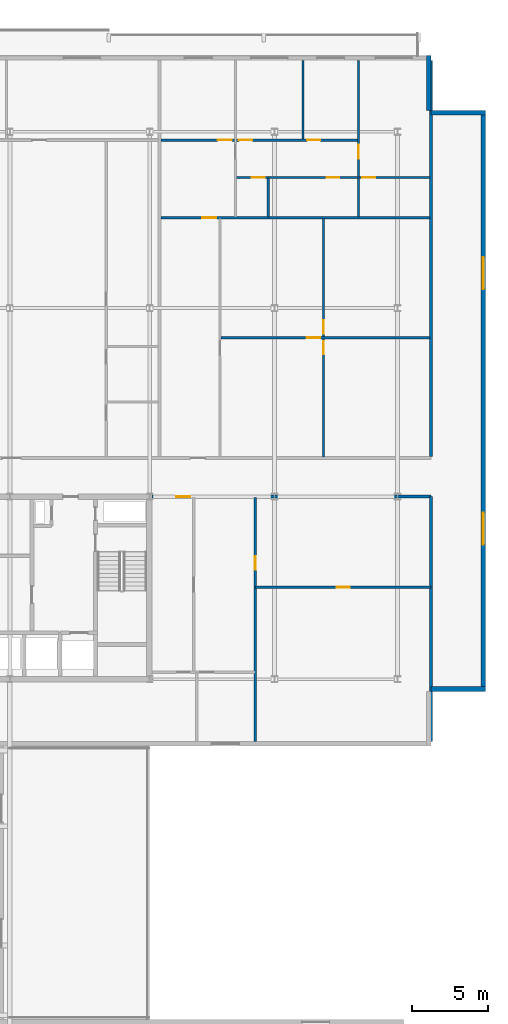
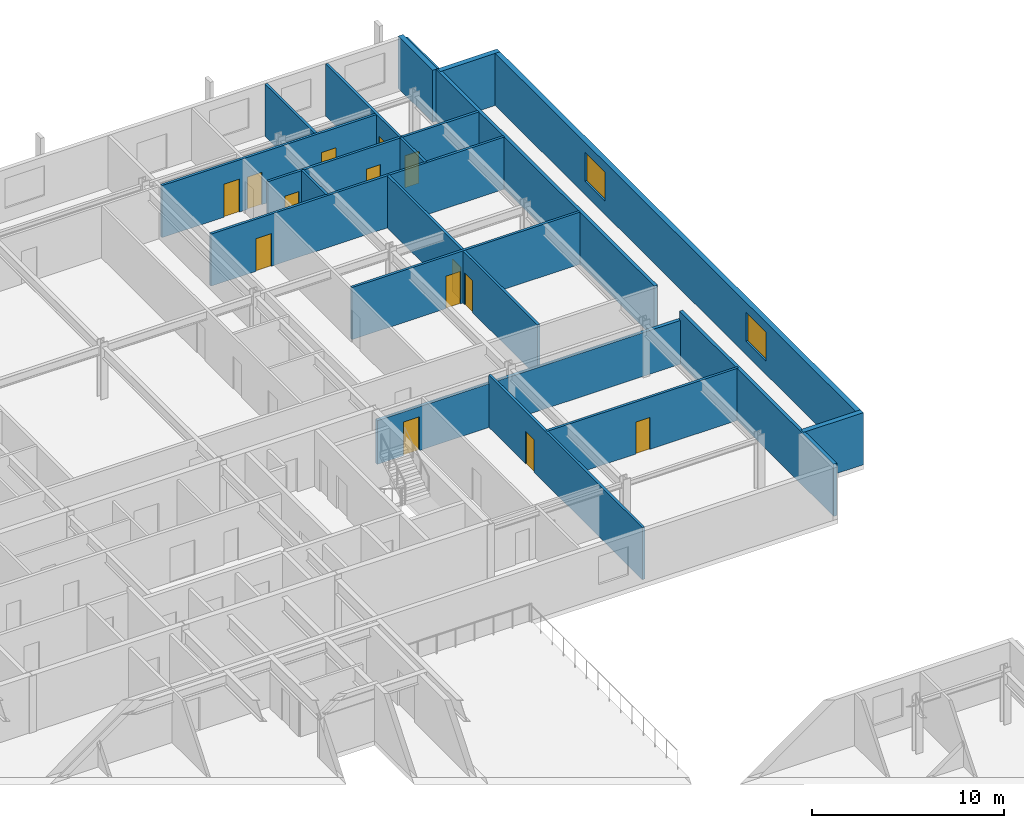
# One storey, part 22 of 28: 18 walls, 14 doors, 2 windows, 16 openings.
"""IFC4 building model written with IfcOpenShell, lengths in metres."""

from ifc_helpers import new_model, si_unit, direction, frame, frame_2d, origin, place, context, subcontext, project, spatial, rectangle, extrude, material, layer, layer_set, type_object, element, fill, save


model = new_model("IFC4")

# Units and contexts
model_context = context("Model", 3, precision=1e-05, world=origin(), true_north=direction((0.0, 1.0)))
body_context = subcontext(model_context, "Body", "Model", "MODEL_VIEW")
ifc_project = project(units=[si_unit("LENGTHUNIT", "METRE"), si_unit("AREAUNIT", "SQUARE_METRE"), si_unit("VOLUMEUNIT", "CUBIC_METRE"), si_unit("PLANEANGLEUNIT", "RADIAN"), si_unit("MASSUNIT", "GRAM", prefix="KILO")], contexts=[model_context])

# Site, building, storey
site_placement = place(None, origin())
site = spatial("IfcSite", under=ifc_project, at=site_placement, CompositionType="ELEMENT")
building_placement = place(site_placement, origin())
building = spatial("IfcBuilding", under=site, at=building_placement, Name="Korimba Cascade Residences", CompositionType="ELEMENT")
storey_placement = place(building_placement, frame((0.0, 0.0, 153.699951171875)))
storey = spatial("IfcBuildingStorey", under=building, at=storey_placement, Name="L44", CompositionType="ELEMENT", Elevation=153.699951171875)

# Wall
ifc_material_1 = material(Name="Precast concrete C40/50", Category="concrete")
ifc_layer_1 = layer(ifc_material_1, 0.300048828125)
ifc_layer_set_1 = layer_set([ifc_layer_1], Name="Precast concrete C40/50")
wall_type_1 = type_object("IfcWallType", Name="EW-STONE-300", PredefinedType="STANDARD", material=ifc_layer_set_1)
wall_1_placement = place(storey_placement, frame((130.60009765625, 54.550048828125, 0.0), z_axis=(0.0, 0.0, 1.0), x_axis=(1.0, 0.0, 0.0)))
element("IfcWall", 1, at=wall_1_placement, inside=storey, type_object=wall_type_1, Name="L44 T1 Perimeter Stone Wall E02", PredefinedType="STANDARD", context=body_context, shape_type="SweptSolid", body=[
    extrude(rectangle(XDim=3.599853515625, YDim=0.300048828125, at=frame_2d((1.7998046875, 0.0))), origin(), (0.0, 0.0, 1.0), 3.320068359375),
])

# Wall, openings, windows
wall_2_placement = place(storey_placement, frame((134.050048828125, 54.39990234375, 0.0), z_axis=(0.0, 0.0, 1.0), x_axis=(0.0, 1.0, 0.0)))
wall_2 = element("IfcWall", 2, at=wall_2_placement, inside=storey, type_object=wall_type_1, Name="L44 T1 Perimeter Stone Wall E03", PredefinedType="STANDARD", context=body_context, shape_type="SweptSolid", body=[
    extrude(rectangle(XDim=38.2001953125, YDim=0.300048828125, at=frame_2d((19.10009765625, 0.0))), origin(), (0.0, 0.0, 1.0), 3.320068359375),
])
opening_1_placement = place(wall_2_placement, frame((9.64599609375, 0.0, 0.85009765625)))
opening_1 = element("IfcOpeningElement", 3, at=opening_1_placement, cuts=wall_2, Name="Opening W-03", PredefinedType="OPENING", context=body_context, shape_type="SweptSolid", body=[
    extrude(rectangle(XDim=2.10009765625, YDim=1.85009765625, at=frame_2d((1.050048828125, 0.925048828125))), frame((0.0, 0.16015625, 0.0), z_axis=(0.0, -1.0, 0.0), x_axis=(1.0, 0.0, 0.0)), (0.0, 0.0, 1.0), 0.320068359375),
])
opening_2_placement = place(wall_2_placement, frame((26.4541015625, 0.0, 0.85009765625)))
opening_2 = element("IfcOpeningElement", 4, at=opening_2_placement, cuts=wall_2, Name="Opening W-03", PredefinedType="OPENING", context=body_context, shape_type="SweptSolid", body=[
    extrude(rectangle(XDim=2.10009765625, YDim=1.85009765625, at=frame_2d((1.050048828125, 0.925048828125))), frame((0.0, 0.16015625, 0.0), z_axis=(0.0, -1.0, 0.0), x_axis=(1.0, 0.0, 0.0)), (0.0, 0.0, 1.0), 0.320068359375),
])
ifc_material_2 = material(Name="Double-Glazed Aluminium Window", Category="aluminium")
window_type = type_object("IfcWindowType", Name="WIN-CRN-2100", PartitioningType="DOUBLE_PANEL_HORIZONTAL", PredefinedType="WINDOW", material=ifc_material_2)
window_1_placement = place(opening_1_placement, origin())
window_1 = element("IfcWindow", 5, at=window_1_placement, inside=storey, type_object=window_type, Name="L44 T1 End View Window 3.1", OverallHeight=1.85009765625, OverallWidth=2.10009765625, PartitioningType="DOUBLE_PANEL_HORIZONTAL", PredefinedType="WINDOW", context=body_context, shape_type="SweptSolid", body=[
    extrude(rectangle(XDim=2.10009765625, YDim=1.85009765625, at=frame_2d((1.050048828125, 0.925048828125))), frame((0.0, 0.030029296875, 0.0), z_axis=(0.0, -1.0, 0.0), x_axis=(1.0, 0.0, 0.0)), (0.0, 0.0, 1.0), 0.06005859375),
])
fill(opening_1, window_1)
window_2_placement = place(opening_2_placement, origin())
window_2 = element("IfcWindow", 6, at=window_2_placement, inside=storey, type_object=window_type, Name="L44 T1 End View Window 3.2", OverallHeight=1.85009765625, OverallWidth=2.10009765625, PartitioningType="DOUBLE_PANEL_HORIZONTAL", PredefinedType="WINDOW", context=body_context, shape_type="SweptSolid", body=[
    extrude(rectangle(XDim=2.10009765625, YDim=1.85009765625, at=frame_2d((1.050048828125, 0.925048828125))), frame((0.0, 0.030029296875, 0.0), z_axis=(0.0, -1.0, 0.0), x_axis=(1.0, 0.0, 0.0)), (0.0, 0.0, 1.0), 0.06005859375),
])
fill(opening_2, window_2)

# Walls
for number, where, z_axis, x_axis, name in (
    (7, (134.199951171875, 92.449951171875, 0.0), (0.0, 0.0, 1.0), (-1.0, 0.0, 0.0), "L44 T1 Perimeter Stone Wall E04"),
    (8, (130.449951171875, 92.60009765625, 0.0), (0.0, 0.0, 1.0), (0.0, 1.0, 0.0), "L44 T1 Perimeter Stone Wall E05"),
):
    element("IfcWall", number, at=place(storey_placement, frame(where, z_axis=z_axis, x_axis=x_axis)), inside=storey, type_object=wall_type_1, Name=name, PredefinedType="STANDARD", context=body_context, shape_type="SweptSolid", body=[
        extrude(rectangle(XDim=3.599853515625, YDim=0.300048828125, at=frame_2d((1.7998046875, 0.0))), origin(), (0.0, 0.0, 1.0), 3.320068359375),
    ])
ifc_layer_2 = layer(ifc_material_1, 0.199951171875)
ifc_layer_set_2 = layer_set([ifc_layer_2], Name="Precast concrete C40/50")
wall_type_2 = type_object("IfcWallType", Name="WAL-IT-200", PredefinedType="PARTITIONING", material=ifc_layer_set_2)
wall_3_placement = place(storey_placement, frame((130.60009765625, 51.10009765625, 0.0), z_axis=(0.0, 0.0, 1.0), x_axis=(0.0, 1.0, 0.0)))
element("IfcWall", 9, at=wall_3_placement, inside=storey, type_object=wall_type_2, Name="L44 Partition Wall WAL-L44-T1-FE-WR", PredefinedType="PARTITIONING", context=body_context, shape_type="SweptSolid", body=[
    extrude(rectangle(XDim=16.099853515625, YDim=0.199951171875, at=frame_2d((8.0498046875, 0.0))), origin(), (0.0, 0.0, 1.0), 3.320068359375),
])

# Wall, opening, door
wall_4_placement = place(storey_placement, frame((112.25, 67.199951171875, 0.0), z_axis=(0.0, 0.0, 1.0), x_axis=(1.0, 0.0, 0.0)))
wall_4 = element("IfcWall", 10, at=wall_4_placement, inside=storey, type_object=wall_type_2, Name="L44 Partition Wall WAL-L44-T1-FE-N", PredefinedType="PARTITIONING", context=body_context, shape_type="SweptSolid", body=[
    extrude(rectangle(XDim=18.35009765625, YDim=0.199951171875, at=frame_2d((9.175048828125, 0.0))), origin(), (0.0, 0.0, 1.0), 2.783447265625),
])
opening_3_placement = place(wall_4_placement, frame((1.580078125, 0.0, 0.0)))
opening_3 = element("IfcOpeningElement", 11, at=opening_3_placement, cuts=wall_4, Name="Opening D-UN1", PredefinedType="OPENING", context=body_context, shape_type="SweptSolid", body=[
    extrude(rectangle(XDim=0.949951171875, YDim=2.14990234375, at=frame_2d((0.47509765625, 1.074951171875))), frame((0.0, 0.10986328125, 0.0), z_axis=(0.0, -1.0, 0.0), x_axis=(1.0, 0.0, 0.0)), (0.0, 0.0, 1.0), 0.219970703125),
])
ifc_material_3 = material(Name="Fire-Rated Hardwood Apartment Entrance Door", Category="wood")
door_type_1 = type_object("IfcDoorType", Name="DR-FD60-950", OperationType="NOTDEFINED", PredefinedType="DOOR", material=ifc_material_3)
door_1_placement = place(opening_3_placement, origin())
door_1 = element("IfcDoor", 12, at=door_1_placement, inside=storey, type_object=door_type_1, Name="L44-T1-FE Entrance Door", OperationType="SINGLE_SWING_LEFT", OverallHeight=2.14990234375, OverallWidth=0.949951171875, PredefinedType="DOOR", context=body_context, shape_type="SweptSolid", body=[
    extrude(rectangle(XDim=0.949951171875, YDim=2.14990234375, at=frame_2d((0.47509765625, 1.074951171875))), frame((0.0, 0.02490234375, 0.0), z_axis=(0.0, -1.0, 0.0), x_axis=(1.0, 0.0, 0.0)), (0.0, 0.0, 1.0), 0.050048828125),
])
fill(opening_3, door_1)

# Wall
wall_5_placement = place(storey_placement, frame((130.60009765625, 69.830078125, 0.0), z_axis=(0.0, 0.0, 1.0), x_axis=(0.0, 1.0, 0.0)))
element("IfcWall", 13, at=wall_5_placement, inside=storey, type_object=wall_type_2, Name="L44 Partition Wall WAL-L44-T1-BNDWR", PredefinedType="PARTITIONING", context=body_context, shape_type="SweptSolid", body=[
    extrude(rectangle(XDim=26.06982421875, YDim=0.199951171875, at=frame_2d((13.034912109375, 0.0))), origin(), (0.0, 0.0, 1.0), 3.320068359375),
])

# Wall, opening, door
ifc_material_4 = material(Name="Insulated Acoustic Stud Partition", Category="gypsum")
ifc_layer_3 = layer(ifc_material_4, 0.14990234375)
ifc_layer_set_3 = layer_set([ifc_layer_3], Name="Insulated Acoustic Stud Partition")
wall_type_3 = type_object("IfcWallType", Name="WAL-PART-150", PredefinedType="PARTITIONING", material=ifc_layer_set_3)
wall_6_placement = place(storey_placement, frame((119.050048828125, 61.25, 0.0), z_axis=(0.0, 0.0, 1.0), x_axis=(1.0, 0.0, 0.0)))
wall_6 = element("IfcWall", 14, at=wall_6_placement, inside=storey, type_object=wall_type_3, Name="L44 Partition Wall WAL-L44-T1-FE-STH", PredefinedType="PARTITIONING", context=body_context, shape_type="SweptSolid", body=[
    extrude(rectangle(XDim=11.550048828125, YDim=0.14990234375, at=frame_2d((5.77490234375, 0.0))), origin(), (0.0, 0.0, 1.0), 3.320068359375),
])
opening_4_placement = place(wall_6_placement, frame((5.35498046875, 0.0, 0.0)))
opening_4 = element("IfcOpeningElement", 15, at=opening_4_placement, cuts=wall_6, Name="Opening D-BT1", PredefinedType="OPENING", context=body_context, shape_type="SweptSolid", body=[
    extrude(rectangle(XDim=0.840087890625, YDim=2.0400390625, at=frame_2d((0.419921875, 1.02001953125))), frame((0.0, 0.0849609375, 0.0), z_axis=(0.0, -1.0, 0.0), x_axis=(1.0, 0.0, 0.0)), (0.0, 0.0, 1.0), 0.169921875),
])
ifc_material_5 = material(Name="Moisture-Resistant Bathroom Timber Door", Category="wood")
door_type_2 = type_object("IfcDoorType", Name="DR-INT-850", OperationType="NOTDEFINED", PredefinedType="DOOR", material=ifc_material_5)
door_2_placement = place(opening_4_placement, origin())
door_2 = element("IfcDoor", 16, at=door_2_placement, inside=storey, type_object=door_type_2, Name="L44-T1-FE Dressing Store Door", OperationType="SINGLE_SWING_RIGHT", OverallHeight=2.0400390625, OverallWidth=0.840087890625, PredefinedType="DOOR", context=body_context, shape_type="SweptSolid", body=[
    extrude(rectangle(XDim=0.840087890625, YDim=2.0400390625, at=frame_2d((0.419921875, 1.02001953125))), frame((0.0, 0.02490234375, 0.0), z_axis=(0.0, -1.0, 0.0), x_axis=(1.0, 0.0, 0.0)), (0.0, 0.0, 1.0), 0.050048828125),
])
fill(opening_4, door_2)

wall_7_placement = place(storey_placement, frame((119.050048828125, 51.10009765625, 0.0), z_axis=(0.0, 0.0, 1.0), x_axis=(0.0, 1.0, 0.0)))
wall_7 = element("IfcWall", 17, at=wall_7_placement, inside=storey, type_object=wall_type_3, Name="L44 Partition Wall WAL-L44-T1-FE-STV", PredefinedType="PARTITIONING", context=body_context, shape_type="SweptSolid", body=[
    extrude(rectangle(XDim=16.0498046875, YDim=0.14990234375, at=frame_2d((8.02490234375, 0.0))), origin(), (0.0, 0.0, 1.0), 3.320068359375),
])
opening_5_placement = place(wall_7_placement, frame((11.300048828125, 0.0, 0.0)))
opening_5 = element("IfcOpeningElement", 18, at=opening_5_placement, cuts=wall_7, Name="Opening D-IN2", PredefinedType="OPENING", context=body_context, shape_type="SweptSolid", body=[
    extrude(rectangle(XDim=0.8798828125, YDim=2.06005859375, at=frame_2d((0.43994140625, 1.030029296875))), frame((0.0, 0.0849609375, 0.0), z_axis=(0.0, -1.0, 0.0), x_axis=(1.0, 0.0, 0.0)), (0.0, 0.0, 1.0), 0.169921875),
])
ifc_material_6 = material(Name="Acoustic Timber Bedroom Door", Category="wood")
door_type_3 = type_object("IfcDoorType", Name="DR-INT-880", OperationType="NOTDEFINED", PredefinedType="DOOR", material=ifc_material_6)
door_3_placement = place(opening_5_placement, origin())
door_3 = element("IfcDoor", 19, at=door_3_placement, inside=storey, type_object=door_type_3, Name="L44-T1-FE Study Door", OperationType="SINGLE_SWING_LEFT", OverallHeight=2.06005859375, OverallWidth=0.8798828125, PredefinedType="DOOR", context=body_context, shape_type="SweptSolid", body=[
    extrude(rectangle(XDim=0.8798828125, YDim=2.06005859375, at=frame_2d((0.43994140625, 1.030029296875))), frame((0.0, 0.02490234375, 0.0), z_axis=(0.0, -1.0, 0.0), x_axis=(1.0, 0.0, 0.0)), (0.0, 0.0, 1.0), 0.050048828125),
])
fill(opening_5, door_3)

# Wall, openings, doors
wall_8_placement = place(storey_placement, frame((123.530029296875, 69.81005859375, 0.0), z_axis=(0.0, 0.0, 1.0), x_axis=(0.0, 1.0, 0.0)))
wall_8 = element("IfcWall", 20, at=wall_8_placement, inside=storey, type_object=wall_type_3, Name="L44 Partition Wall WAL-L44-T1-U04-FMV", PredefinedType="PARTITIONING", context=body_context, shape_type="SweptSolid", body=[
    extrude(rectangle(XDim=15.699951171875, YDim=0.14990234375, at=frame_2d((7.85009765625, 0.0))), origin(), (0.0, 0.0, 1.0), 3.320068359375),
])
opening_6_placement = place(wall_8_placement, frame((6.760009765625, 0.0, 0.0)))
opening_6 = element("IfcOpeningElement", 21, at=opening_6_placement, cuts=wall_8, Name="Opening D-BT1", PredefinedType="OPENING", context=body_context, shape_type="SweptSolid", body=[
    extrude(rectangle(XDim=0.840087890625, YDim=2.0400390625, at=frame_2d((0.419921875, 1.02001953125))), frame((0.0, 0.0849609375, 0.0), z_axis=(0.0, -1.0, 0.0), x_axis=(1.0, 0.0, 0.0)), (0.0, 0.0, 1.0), 0.169921875),
])
opening_7_placement = place(wall_8_placement, frame((8.10009765625, 0.0, 0.0)))
opening_7 = element("IfcOpeningElement", 22, at=opening_7_placement, cuts=wall_8, Name="Opening D-IN2", PredefinedType="OPENING", context=body_context, shape_type="SweptSolid", body=[
    extrude(rectangle(XDim=0.8798828125, YDim=2.06005859375, at=frame_2d((0.43994140625, 1.030029296875))), frame((0.0, 0.0849609375, 0.0), z_axis=(0.0, -1.0, 0.0), x_axis=(1.0, 0.0, 0.0)), (0.0, 0.0, 1.0), 0.169921875),
])
door_4_placement = place(opening_6_placement, origin())
door_4 = element("IfcDoor", 23, at=door_4_placement, inside=storey, type_object=door_type_2, Name="L44-T1-U04 Wardrobe Door", OperationType="SINGLE_SWING_RIGHT", OverallHeight=2.0400390625, OverallWidth=0.840087890625, PredefinedType="DOOR", context=body_context, shape_type="SweptSolid", body=[
    extrude(rectangle(XDim=0.840087890625, YDim=2.0400390625, at=frame_2d((0.419921875, 1.02001953125))), frame((0.0, 0.02490234375, 0.0), z_axis=(0.0, -1.0, 0.0), x_axis=(1.0, 0.0, 0.0)), (0.0, 0.0, 1.0), 0.050048828125),
])
fill(opening_6, door_4)
door_5_placement = place(opening_7_placement, origin())
door_5 = element("IfcDoor", 24, at=door_5_placement, inside=storey, type_object=door_type_3, Name="L44-T1-U04 Music Lounge Door", OperationType="SINGLE_SWING_LEFT", OverallHeight=2.06005859375, OverallWidth=0.8798828125, PredefinedType="DOOR", context=body_context, shape_type="SweptSolid", body=[
    extrude(rectangle(XDim=0.8798828125, YDim=2.06005859375, at=frame_2d((0.43994140625, 1.030029296875))), frame((0.0, 0.02490234375, 0.0), z_axis=(0.0, -1.0, 0.0), x_axis=(1.0, 0.0, 0.0)), (0.0, 0.0, 1.0), 0.050048828125),
])
fill(opening_7, door_5)

# Wall, opening, door
wall_9_placement = place(storey_placement, frame((116.780029296875, 77.659912109375, 0.0), z_axis=(0.0, 0.0, 1.0), x_axis=(1.0, 0.0, 0.0)))
wall_9 = element("IfcWall", 25, at=wall_9_placement, inside=storey, type_object=wall_type_3, Name="L44 Partition Wall WAL-L44-T1-U04-FMH", PredefinedType="PARTITIONING", context=body_context, shape_type="SweptSolid", body=[
    extrude(rectangle(XDim=13.739990234375, YDim=0.14990234375, at=frame_2d((6.8701171875, 0.0))), origin(), (0.0, 0.0, 1.0), 3.320068359375),
])
opening_8_placement = place(wall_9_placement, frame((5.64990234375, 0.0, 0.0)))
opening_8 = element("IfcOpeningElement", 26, at=opening_8_placement, cuts=wall_9, Name="Opening D-IN2", PredefinedType="OPENING", context=body_context, shape_type="SweptSolid", body=[
    extrude(rectangle(XDim=0.8798828125, YDim=2.06005859375, at=frame_2d((0.43994140625, 1.030029296875))), frame((0.0, 0.0849609375, 0.0), z_axis=(0.0, -1.0, 0.0), x_axis=(1.0, 0.0, 0.0)), (0.0, 0.0, 1.0), 0.169921875),
])
door_6_placement = place(opening_8_placement, origin())
door_6 = element("IfcDoor", 27, at=door_6_placement, inside=storey, type_object=door_type_3, Name="L44-T1-U04 Library Salon Door", OperationType="SINGLE_SWING_RIGHT", OverallHeight=2.06005859375, OverallWidth=0.8798828125, PredefinedType="DOOR", context=body_context, shape_type="SweptSolid", body=[
    extrude(rectangle(XDim=0.8798828125, YDim=2.06005859375, at=frame_2d((0.43994140625, 1.030029296875))), frame((0.0, 0.02490234375, 0.0), z_axis=(0.0, -1.0, 0.0), x_axis=(1.0, 0.0, 0.0)), (0.0, 0.0, 1.0), 0.050048828125),
])
fill(opening_8, door_6)

# Walls
wall_10_placement = place(storey_placement, frame((119.89990234375, 85.590087890625, 0.0), z_axis=(0.0, 0.0, 1.0), x_axis=(0.0, 1.0, 0.0)))
element("IfcWall", 28, at=wall_10_placement, inside=storey, type_object=wall_type_3, Name="L44 Partition Wall WAL-L44-T1-U04-VDRS", PredefinedType="PARTITIONING", context=body_context, shape_type="SweptSolid", body=[
    extrude(rectangle(XDim=2.579833984375, YDim=0.14990234375, at=frame_2d((1.2900390625, 0.0))), origin(), (0.0, 0.0, 1.0), 3.320068359375),
])
wall_11_placement = place(storey_placement, frame((122.179931640625, 90.72998046875, 0.0), z_axis=(0.0, 0.0, 1.0), x_axis=(0.0, 1.0, 0.0)))
element("IfcWall", 29, at=wall_11_placement, inside=storey, type_object=wall_type_3, Name="L44 Partition Wall WAL-L44-T1-U04-VSTD", PredefinedType="PARTITIONING", context=body_context, shape_type="SweptSolid", body=[
    extrude(rectangle(XDim=5.169921875, YDim=0.14990234375, at=frame_2d((2.5849609375, 0.0))), origin(), (0.0, 0.0, 1.0), 3.320068359375),
])
wall_12_placement = place(storey_placement, frame((125.830078125, 85.590087890625, 0.0), z_axis=(0.0, 0.0, 1.0), x_axis=(0.0, 1.0, 0.0)))
element("IfcWall", 30, at=wall_12_placement, inside=storey, type_object=wall_type_3, Name="L44 Partition Wall WAL-L44-T1-U04-VBATH", PredefinedType="PARTITIONING", context=body_context, shape_type="SweptSolid", body=[
    extrude(rectangle(XDim=2.579833984375, YDim=0.14990234375, at=frame_2d((1.2900390625, 0.0))), origin(), (0.0, 0.0, 1.0), 3.320068359375),
])

# Wall, opening, door
wall_13_placement = place(storey_placement, frame((125.830078125, 88.2099609375, 0.0), z_axis=(0.0, 0.0, 1.0), x_axis=(0.0, 1.0, 0.0)))
wall_13 = element("IfcWall", 31, at=wall_13_placement, inside=storey, type_object=wall_type_3, Name="L44 Partition Wall WAL-L44-T1-U04-V2FULL", PredefinedType="PARTITIONING", context=body_context, shape_type="SweptSolid", body=[
    extrude(rectangle(XDim=7.68994140625, YDim=0.14990234375, at=frame_2d((3.844970703125, 0.0))), origin(), (0.0, 0.0, 1.0), 3.320068359375),
])
opening_9_placement = place(wall_13_placement, frame((1.199951171875, 0.0, 0.0)))
opening_9 = element("IfcOpeningElement", 32, at=opening_9_placement, cuts=wall_13, Name="Opening D-IN1", PredefinedType="OPENING", context=body_context, shape_type="SweptSolid", body=[
    extrude(rectangle(XDim=0.919921875, YDim=2.080078125, at=frame_2d((0.4599609375, 1.0400390625))), frame((0.0, 0.0849609375, 0.0), z_axis=(0.0, -1.0, 0.0), x_axis=(1.0, 0.0, 0.0)), (0.0, 0.0, 1.0), 0.169921875),
])
ifc_material_7 = material(Name="Acoustic Timber Living Door", Category="wood")
door_type_4 = type_object("IfcDoorType", Name="DR-INT-920", OperationType="NOTDEFINED", PredefinedType="DOOR", material=ifc_material_7)
door_7_placement = place(opening_9_placement, origin())
door_7 = element("IfcDoor", 33, at=door_7_placement, inside=storey, type_object=door_type_4, Name="L44-T1-U04 Master Bedroom Door", OperationType="SINGLE_SWING_LEFT", OverallHeight=2.080078125, OverallWidth=0.919921875, PredefinedType="DOOR", context=body_context, shape_type="SweptSolid", body=[
    extrude(rectangle(XDim=0.919921875, YDim=2.080078125, at=frame_2d((0.4599609375, 1.0400390625))), frame((0.0, 0.02490234375, 0.0), z_axis=(0.0, -1.0, 0.0), x_axis=(1.0, 0.0, 0.0)), (0.0, 0.0, 1.0), 0.050048828125),
])
fill(opening_9, door_7)

# Wall, openings, doors
wall_14_placement = place(storey_placement, frame((117.7900390625, 88.18994140625, 0.0), z_axis=(0.0, 0.0, 1.0), x_axis=(1.0, 0.0, 0.0)))
wall_14 = element("IfcWall", 34, at=wall_14_placement, inside=storey, type_object=wall_type_3, Name="L44 Partition Wall WAL-L44-T1-U04-HWALL", PredefinedType="PARTITIONING", context=body_context, shape_type="SweptSolid", body=[
    extrude(rectangle(XDim=12.72998046875, YDim=0.14990234375, at=frame_2d((6.364990234375, 0.0))), origin(), (0.0, 0.0, 1.0), 3.320068359375),
])
opening_10_placement = place(wall_14_placement, frame((1.033935546875, 0.0, 0.0)))
opening_10 = element("IfcOpeningElement", 35, at=opening_10_placement, cuts=wall_14, Name="Opening D-BT1", PredefinedType="OPENING", context=body_context, shape_type="SweptSolid", body=[
    extrude(rectangle(XDim=0.840087890625, YDim=2.0400390625, at=frame_2d((0.419921875, 1.02001953125))), frame((0.0, 0.0849609375, 0.0), z_axis=(0.0, -1.0, 0.0), x_axis=(1.0, 0.0, 0.0)), (0.0, 0.0, 1.0), 0.169921875),
])
opening_11_placement = place(wall_14_placement, frame((5.945068359375, 0.0, 0.0)))
opening_11 = element("IfcOpeningElement", 36, at=opening_11_placement, cuts=wall_14, Name="Opening D-BT1", PredefinedType="OPENING", context=body_context, shape_type="SweptSolid", body=[
    extrude(rectangle(XDim=0.840087890625, YDim=2.0400390625, at=frame_2d((0.419921875, 1.02001953125))), frame((0.0, 0.0849609375, 0.0), z_axis=(0.0, -1.0, 0.0), x_axis=(1.0, 0.0, 0.0)), (0.0, 0.0, 1.0), 0.169921875),
])
opening_12_placement = place(wall_14_placement, frame((8.2900390625, 0.0, 0.0)))
opening_12 = element("IfcOpeningElement", 37, at=opening_12_placement, cuts=wall_14, Name="Opening D-BT1", PredefinedType="OPENING", context=body_context, shape_type="SweptSolid", body=[
    extrude(rectangle(XDim=0.840087890625, YDim=2.0400390625, at=frame_2d((0.419921875, 1.02001953125))), frame((0.0, 0.0849609375, 0.0), z_axis=(0.0, -1.0, 0.0), x_axis=(1.0, 0.0, 0.0)), (0.0, 0.0, 1.0), 0.169921875),
])
door_8_placement = place(opening_10_placement, origin())
door_8 = element("IfcDoor", 38, at=door_8_placement, inside=storey, type_object=door_type_2, Name="L44-T1-U04 Family Bathroom Door", OperationType="SINGLE_SWING_RIGHT", OverallHeight=2.0400390625, OverallWidth=0.840087890625, PredefinedType="DOOR", context=body_context, shape_type="SweptSolid", body=[
    extrude(rectangle(XDim=0.840087890625, YDim=2.0400390625, at=frame_2d((0.419921875, 1.02001953125))), frame((0.0, 0.02490234375, 0.0), z_axis=(0.0, -1.0, 0.0), x_axis=(1.0, 0.0, 0.0)), (0.0, 0.0, 1.0), 0.050048828125),
])
fill(opening_10, door_8)
door_9_placement = place(opening_11_placement, origin())
door_9 = element("IfcDoor", 39, at=door_9_placement, inside=storey, type_object=door_type_2, Name="L44-T1-U04 Dressing Room Door", OperationType="SINGLE_SWING_LEFT", OverallHeight=2.0400390625, OverallWidth=0.840087890625, PredefinedType="DOOR", context=body_context, shape_type="SweptSolid", body=[
    extrude(rectangle(XDim=0.840087890625, YDim=2.0400390625, at=frame_2d((0.419921875, 1.02001953125))), frame((0.0, 0.02490234375, 0.0), z_axis=(0.0, -1.0, 0.0), x_axis=(1.0, 0.0, 0.0)), (0.0, 0.0, 1.0), 0.050048828125),
])
fill(opening_11, door_9)
door_10_placement = place(opening_12_placement, origin())
door_10 = element("IfcDoor", 40, at=door_10_placement, inside=storey, type_object=door_type_2, Name="L44-T1-U04 En-Suite Door", OperationType="SINGLE_SWING_RIGHT", OverallHeight=2.0400390625, OverallWidth=0.840087890625, PredefinedType="DOOR", context=body_context, shape_type="SweptSolid", body=[
    extrude(rectangle(XDim=0.840087890625, YDim=2.0400390625, at=frame_2d((0.419921875, 1.02001953125))), frame((0.0, 0.02490234375, 0.0), z_axis=(0.0, -1.0, 0.0), x_axis=(1.0, 0.0, 0.0)), (0.0, 0.0, 1.0), 0.050048828125),
])
fill(opening_12, door_10)

# Wall, opening, door
wall_15_placement = place(storey_placement, frame((112.830078125, 85.550048828125, 0.0), z_axis=(0.0, 0.0, 1.0), x_axis=(1.0, 0.0, 0.0)))
wall_15 = element("IfcWall", 41, at=wall_15_placement, inside=storey, type_object=wall_type_3, Name="L44 Partition Wall WAL-L44-T1-U04-MW", PredefinedType="PARTITIONING", context=body_context, shape_type="SweptSolid", body=[
    extrude(rectangle(XDim=17.68994140625, YDim=0.14990234375, at=frame_2d((8.844970703125, 0.0))), origin(), (0.0, 0.0, 1.0), 3.320068359375),
])
opening_13_placement = place(wall_15_placement, frame((2.719970703125, 0.0, 0.0)))
opening_13 = element("IfcOpeningElement", 42, at=opening_13_placement, cuts=wall_15, Name="Opening D-IN1", PredefinedType="OPENING", context=body_context, shape_type="SweptSolid", body=[
    extrude(rectangle(XDim=0.919921875, YDim=2.080078125, at=frame_2d((0.4599609375, 1.0400390625))), frame((0.0, 0.0849609375, 0.0), z_axis=(0.0, -1.0, 0.0), x_axis=(1.0, 0.0, 0.0)), (0.0, 0.0, 1.0), 0.169921875),
])
door_11_placement = place(opening_13_placement, origin())
door_11 = element("IfcDoor", 43, at=door_11_placement, inside=storey, type_object=door_type_4, Name="L44-T1-U04 Kitchen Door", OperationType="SINGLE_SWING_LEFT", OverallHeight=2.080078125, OverallWidth=0.919921875, PredefinedType="DOOR", context=body_context, shape_type="SweptSolid", body=[
    extrude(rectangle(XDim=0.919921875, YDim=2.080078125, at=frame_2d((0.4599609375, 1.0400390625))), frame((0.0, 0.02490234375, 0.0), z_axis=(0.0, -1.0, 0.0), x_axis=(1.0, 0.0, 0.0)), (0.0, 0.0, 1.0), 0.050048828125),
])
fill(opening_13, door_11)

# Wall, openings, doors
wall_16_placement = place(storey_placement, frame((112.830078125, 90.64990234375, 0.0), z_axis=(0.0, 0.0, 1.0), x_axis=(1.0, 0.0, 0.0)))
wall_16 = element("IfcWall", 44, at=wall_16_placement, inside=storey, type_object=wall_type_3, Name="L44 Partition Wall WAL-L44-T1-U04-HZ", PredefinedType="PARTITIONING", context=body_context, shape_type="SweptSolid", body=[
    extrude(rectangle(XDim=13.0, YDim=0.14990234375, at=frame_2d((6.5, 0.0))), origin(), (0.0, 0.0, 1.0), 3.320068359375),
])
opening_14_placement = place(wall_16_placement, frame((3.72998046875, 0.0, 0.0)))
opening_14 = element("IfcOpeningElement", 45, at=opening_14_placement, cuts=wall_16, Name="Opening D-IN0", PredefinedType="OPENING", context=body_context, shape_type="SweptSolid", body=[
    extrude(rectangle(XDim=0.93994140625, YDim=2.10009765625, at=frame_2d((0.469970703125, 1.050048828125))), frame((0.0, 0.0849609375, 0.0), z_axis=(0.0, -1.0, 0.0), x_axis=(1.0, 0.0, 0.0)), (0.0, 0.0, 1.0), 0.169921875),
])
opening_15_placement = place(wall_16_placement, frame((5.139892578125, 0.0, 0.0)))
opening_15 = element("IfcOpeningElement", 46, at=opening_15_placement, cuts=wall_16, Name="Opening D-IN2", PredefinedType="OPENING", context=body_context, shape_type="SweptSolid", body=[
    extrude(rectangle(XDim=0.8798828125, YDim=2.06005859375, at=frame_2d((0.43994140625, 1.030029296875))), frame((0.0, 0.0849609375, 0.0), z_axis=(0.0, -1.0, 0.0), x_axis=(1.0, 0.0, 0.0)), (0.0, 0.0, 1.0), 0.169921875),
])
opening_16_placement = place(wall_16_placement, frame((9.61669921875, 0.0, 0.0)))
opening_16 = element("IfcOpeningElement", 47, at=opening_16_placement, cuts=wall_16, Name="Opening D-IN2", PredefinedType="OPENING", context=body_context, shape_type="SweptSolid", body=[
    extrude(rectangle(XDim=0.8798828125, YDim=2.06005859375, at=frame_2d((0.43994140625, 1.030029296875))), frame((0.0, 0.0849609375, 0.0), z_axis=(0.0, -1.0, 0.0), x_axis=(1.0, 0.0, 0.0)), (0.0, 0.0, 1.0), 0.169921875),
])
door_12_placement = place(opening_15_placement, origin())
door_12 = element("IfcDoor", 48, at=door_12_placement, inside=storey, type_object=door_type_3, Name="L44-T1-U04 Bedroom 2 Door", OperationType="SINGLE_SWING_LEFT", OverallHeight=2.06005859375, OverallWidth=0.8798828125, PredefinedType="DOOR", context=body_context, shape_type="SweptSolid", body=[
    extrude(rectangle(XDim=0.8798828125, YDim=2.06005859375, at=frame_2d((0.43994140625, 1.030029296875))), frame((0.0, 0.02490234375, 0.0), z_axis=(0.0, -1.0, 0.0), x_axis=(1.0, 0.0, 0.0)), (0.0, 0.0, 1.0), 0.050048828125),
])
fill(opening_15, door_12)
door_13_placement = place(opening_16_placement, origin())
door_13 = element("IfcDoor", 49, at=door_13_placement, inside=storey, type_object=door_type_3, Name="L44-T1-U04 Study Door", OperationType="SINGLE_SWING_RIGHT", OverallHeight=2.06005859375, OverallWidth=0.8798828125, PredefinedType="DOOR", context=body_context, shape_type="SweptSolid", body=[
    extrude(rectangle(XDim=0.8798828125, YDim=2.06005859375, at=frame_2d((0.43994140625, 1.030029296875))), frame((0.0, 0.02490234375, 0.0), z_axis=(0.0, -1.0, 0.0), x_axis=(1.0, 0.0, 0.0)), (0.0, 0.0, 1.0), 0.050048828125),
])
fill(opening_16, door_13)
ifc_material_8 = material(Name="Acoustic Timber Living Archway Door", Category="wood")
door_type_5 = type_object("IfcDoorType", Name="DR-INT-950", OperationType="NOTDEFINED", PredefinedType="DOOR", material=ifc_material_8)
door_14_placement = place(opening_14_placement, origin())
door_14 = element("IfcDoor", 50, at=door_14_placement, inside=storey, type_object=door_type_5, Name="L44-T1-U04 Living Room Door", OperationType="SINGLE_SWING_RIGHT", OverallHeight=2.10009765625, OverallWidth=0.93994140625, PredefinedType="DOOR", context=body_context, shape_type="SweptSolid", body=[
    extrude(rectangle(XDim=0.93994140625, YDim=2.10009765625, at=frame_2d((0.469970703125, 1.050048828125))), frame((0.0, 0.02490234375, 0.0), z_axis=(0.0, -1.0, 0.0), x_axis=(1.0, 0.0, 0.0)), (0.0, 0.0, 1.0), 0.050048828125),
])
fill(opening_14, door_14)

save(model, "model.ifc")
